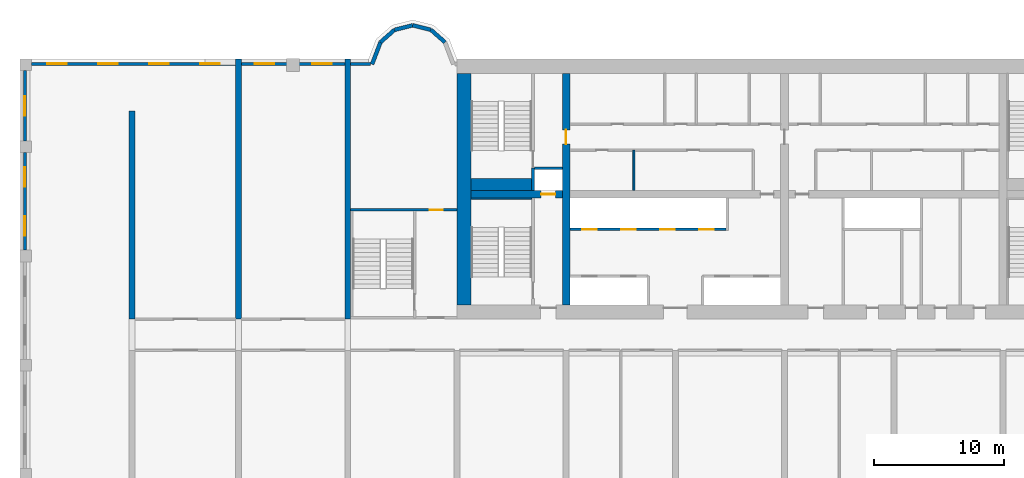
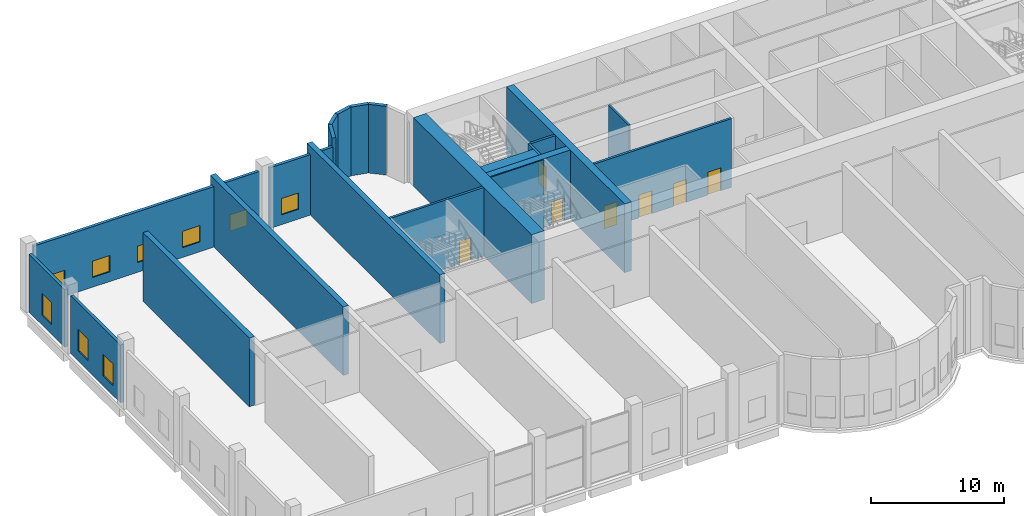
# One storey, part 9 of 15: 24 walls, 9 windows, 7 doors, 16 openings.
"""IFC4 building model written with IfcOpenShell, lengths in metres."""

from ifc_helpers import new_model, si_unit, direction, frame, frame_2d, origin, place, context, subcontext, project, spatial, rectangle, extrude, source, transform, mapped, material, layer, layer_set, type_object, element, fill, save


model = new_model("IFC4")

# Units and contexts
model_context = context("Model", 3, precision=1e-05, world=origin(), true_north=direction((0.0, 1.0)))
body_context = subcontext(model_context, "Body", "Model", "MODEL_VIEW")
ifc_project = project(units=[si_unit("LENGTHUNIT", "METRE"), si_unit("AREAUNIT", "SQUARE_METRE"), si_unit("VOLUMEUNIT", "CUBIC_METRE"), si_unit("PLANEANGLEUNIT", "RADIAN"), si_unit("MASSUNIT", "GRAM", prefix="KILO")], contexts=[model_context])

# Site, building, storey
site_placement = place(None, origin())
site = spatial("IfcSite", under=ifc_project, at=site_placement, CompositionType="ELEMENT")
building_placement = place(site_placement, origin())
building = spatial("IfcBuilding", under=site, at=building_placement, Name="Vanashikhar Sky Hotel", CompositionType="ELEMENT")
storey_placement = place(building_placement, frame((0.0, 0.0, 11.39990234375)))
storey = spatial("IfcBuildingStorey", under=building, at=storey_placement, Name="L02", CompositionType="ELEMENT", Elevation=11.39990234375)

# Wall
ifc_material_1 = material(Name="Concrete M80", Category="concrete")
ifc_layer_1 = layer(ifc_material_1, 1.10009765625)
ifc_layer_set_1 = layer_set([ifc_layer_1], Name="RC core shell wall 1100 Concrete M80")
wall_type_1 = type_object("IfcWallType", Name="RC core shell wall 1100 Concrete M80", PredefinedType="SHEAR", material=ifc_layer_set_1)
shared_shape_1 = source(origin(), body_context, "Body", "SweptSolid", [
    extrude(rectangle(XDim=17.7998046875, YDim=1.10009765625, at=frame_2d((8.89990234375, 0.0))), origin(), (0.0, 0.0, 1.0), 6.320068359375),
])
wall_1_placement = place(storey_placement, frame((25.75, 23.10009765625, 0.0), z_axis=(0.0, 0.0, 1.0), x_axis=(0.0, 1.0, 0.0)))
element("IfcWall", 1, at=wall_1_placement, inside=storey, type_object=wall_type_1, Name="KW-L02-KW", PredefinedType="SHEAR", context=body_context, shape_type="MappedRepresentation", body=[
    mapped(shared_shape_1, transform((0.0, 0.0, 0.0), scale=1.0)),
])

# Wall, opening, door
ifc_layer_2 = layer(ifc_material_1, 0.60009765625)
ifc_layer_set_2 = layer_set([ifc_layer_2], Name="RC core inner wall 600 Concrete M80")
wall_type_2 = type_object("IfcWallType", Name="RC core inner wall 600 Concrete M80", PredefinedType="SHEAR", material=ifc_layer_set_2)
shared_shape_2 = source(origin(), body_context, "Body", "SweptSolid", [
    extrude(rectangle(XDim=17.7998046875, YDim=0.60009765625, at=frame_2d((8.89990234375, 0.0))), origin(), (0.0, 0.0, 1.0), 6.320068359375),
])
wall_2_placement = place(storey_placement, frame((33.60009765625, 23.10009765625, 0.0), z_axis=(0.0, 0.0, 1.0), x_axis=(0.0, 1.0, 0.0)))
wall_2 = element("IfcWall", 2, at=wall_2_placement, inside=storey, type_object=wall_type_2, Name="KW-L02-KX1", PredefinedType="SHEAR", context=body_context, shape_type="MappedRepresentation", body=[
    mapped(shared_shape_2, transform((0.0, 0.0, 0.0), scale=1.0)),
])
shared_shape_3 = source(origin(), body_context, "Body", "SweptSolid", [
    extrude(rectangle(XDim=1.10009765625, YDim=2.10009765625, at=frame_2d((0.550048828125, 1.050048828125))), frame((0.0, 0.31005859375, 0.0), z_axis=(0.0, -1.0, 0.0), x_axis=(1.0, 0.0, 0.0)), (0.0, 0.0, 1.0), 0.6201171875),
])
opening_1_placement = place(wall_2_placement, frame((12.35009765625, 0.0, 0.0)))
opening_1 = element("IfcOpeningElement", 3, at=opening_1_placement, cuts=wall_2, Name="Opening DC-4-C", PredefinedType="OPENING", context=body_context, shape_type="MappedRepresentation", body=[
    mapped(shared_shape_3, transform((0.0, 0.0, 0.0), scale=1.0)),
])
ifc_material_2 = material(Name="Steel", Category="steel")
door_type_1 = type_object("IfcDoorType", Name="Service door 1100 FD60", OperationType="NOTDEFINED", PredefinedType="DOOR", material=ifc_material_2)
shared_shape_4 = source(origin(), body_context, "Body", "SweptSolid", [
    extrude(rectangle(XDim=1.10009765625, YDim=2.10009765625, at=frame_2d((0.550048828125, 1.050048828125))), frame((0.0, 0.02490234375, 0.0), z_axis=(0.0, -1.0, 0.0), x_axis=(1.0, 0.0, 0.0)), (0.0, 0.0, 1.0), 0.050048828125),
])
door_1_placement = place(opening_1_placement, origin())
door_1 = element("IfcDoor", 4, at=door_1_placement, inside=storey, type_object=door_type_1, Name="Service door 1100 FD60", OperationType="SINGLE_SWING_LEFT", OverallHeight=2.10009765625, OverallWidth=1.10009765625, PredefinedType="DOOR", context=body_context, shape_type="MappedRepresentation", body=[
    mapped(shared_shape_4, transform((0.0, 0.0, 0.0), scale=1.0)),
])
fill(opening_1, door_1)

shared_shape_5 = source(origin(), body_context, "Body", "SweptSolid", [
    extrude(rectangle(XDim=7.0, YDim=0.60009765625, at=frame_2d((3.5, 0.0))), origin(), (0.0, 0.0, 1.0), 6.320068359375),
])
wall_3_placement = place(storey_placement, frame((26.300048828125, 31.60009765625, 0.0), z_axis=(0.0, 0.0, 1.0), x_axis=(1.0, 0.0, 0.0)))
wall_3 = element("IfcWall", 5, at=wall_3_placement, inside=storey, type_object=wall_type_2, Name="KW-L02-KY1", PredefinedType="SHEAR", context=body_context, shape_type="MappedRepresentation", body=[
    mapped(shared_shape_5, transform((0.0, 0.0, 0.0), scale=1.0)),
])
opening_2_placement = place(wall_3_placement, frame((5.375, 0.0, 0.0)))
opening_2 = element("IfcOpeningElement", 6, at=opening_2_placement, cuts=wall_3, Name="Opening LD", PredefinedType="OPENING", context=body_context, shape_type="MappedRepresentation", body=[
    mapped(shared_shape_3, transform((0.0, 0.0, 0.0), scale=1.0)),
])
ifc_material_3 = material(Name="Stainless steel", Category="steel")
door_type_2 = type_object("IfcDoorType", Name="Lift landing door 1100", OperationType="NOTDEFINED", PredefinedType="DOOR", material=ifc_material_3)
door_2_placement = place(opening_2_placement, origin())
door_2 = element("IfcDoor", 7, at=door_2_placement, inside=storey, type_object=door_type_2, Name="Lift landing door 1100", OperationType="SLIDING_TO_RIGHT", OverallHeight=2.10009765625, OverallWidth=1.10009765625, PredefinedType="DOOR", context=body_context, shape_type="MappedRepresentation", body=[
    mapped(shared_shape_4, transform((0.0, 0.0, 0.0), scale=1.0)),
])
fill(opening_2, door_2)

# Walls
ifc_layer_3 = layer(ifc_material_1, 0.449951171875)
ifc_layer_set_3 = layer_set([ifc_layer_3], Name="RC shear wall 450 Concrete M80")
wall_type_3 = type_object("IfcWallType", Name="RC shear wall 450 Concrete M80", PredefinedType="SHEAR", material=ifc_layer_set_3)
shared_shape_6 = source(origin(), body_context, "Body", "SweptSolid", [
    extrude(rectangle(XDim=16.0, YDim=0.449951171875, at=frame_2d((8.0, 0.0))), origin(), (0.0, 0.0, 1.0), 6.320068359375),
])
wall_4_placement = place(storey_placement, frame((0.22509765625, 22.0, 0.0), z_axis=(0.0, 0.0, 1.0), x_axis=(0.0, 1.0, 0.0)))
element("IfcWall", 8, at=wall_4_placement, inside=storey, type_object=wall_type_3, Name="CW-L02-XW01-2", PredefinedType="SHEAR", context=body_context, shape_type="MappedRepresentation", body=[
    mapped(shared_shape_6, transform((0.0, 0.0, 0.0), scale=1.0)),
])
shared_shape_7 = source(origin(), body_context, "Body", "SweptSolid", [
    extrude(rectangle(XDim=20.0, YDim=0.449951171875, at=frame_2d((10.0, 0.0))), origin(), (0.0, 0.0, 1.0), 6.320068359375),
])
for number, where, z_axis, x_axis, name in (
    (9, (8.39990234375, 22.0, 0.0), (0.0, 0.0, 1.0), (0.0, 1.0, 0.0), "CW-L02-XW02-2"),
    (10, (16.800048828125, 22.0, 0.0), (0.0, 0.0, 1.0), (0.0, 1.0, 0.0), "CW-L02-XW03-2"),
):
    element("IfcWall", number, at=place(storey_placement, frame(where, z_axis=z_axis, x_axis=x_axis)), inside=storey, type_object=wall_type_3, Name=name, PredefinedType="SHEAR", context=body_context, shape_type="MappedRepresentation", body=[
        mapped(shared_shape_7, transform((0.0, 0.0, 0.0), scale=1.0)),
    ])

# Wall, opening, window
ifc_material_4 = material(Name="Concrete M50", Category="concrete")
ifc_layer_4 = layer(ifc_material_4, 0.25)
ifc_layer_set_4 = layer_set([ifc_layer_4], Name="Rear and end board-marked wall 250")
wall_type_4 = type_object("IfcWallType", Name="Rear and end board-marked wall 250", PredefinedType="SOLIDWALL", material=ifc_layer_set_4)
shared_shape_8 = source(origin(), body_context, "Body", "SweptSolid", [
    extrude(rectangle(XDim=3.52490234375, YDim=0.25, at=frame_2d((1.762451171875, 0.0))), origin(), (0.0, 0.0, 1.0), 5.570068359375),
])
wall_5_placement = place(storey_placement, frame((16.574951171875, 41.625, 0.0), z_axis=(0.0, 0.0, 1.0), x_axis=(-1.0, 0.0, 0.0)))
wall_5 = element("IfcWall", 11, at=wall_5_placement, inside=storey, type_object=wall_type_4, Name="Podium external wall", PredefinedType="SOLIDWALL", context=body_context, shape_type="MappedRepresentation", body=[
    mapped(shared_shape_8, transform((0.0, 0.0, 0.0), scale=1.0)),
])
shared_shape_9 = source(origin(), body_context, "Body", "SweptSolid", [
    extrude(rectangle(XDim=1.5, YDim=1.5, at=frame_2d((0.75, 0.75))), frame((0.0, 0.135009765625, 0.0), z_axis=(0.0, -1.0, 0.0), x_axis=(1.0, 0.0, 0.0)), (0.0, 0.0, 1.0), 0.27001953125),
])
opening_3_placement = place(wall_5_placement, frame((1.012451171875, 0.0, 0.89990234375)))
opening_3 = element("IfcOpeningElement", 12, at=opening_3_placement, cuts=wall_5, Name="Opening WN-1", PredefinedType="OPENING", context=body_context, shape_type="MappedRepresentation", body=[
    mapped(shared_shape_9, transform((0.0, 0.0, 0.0), scale=1.0)),
])
ifc_material_5 = material(Name="Glass", Category="glass")
window_type_1 = type_object("IfcWindowType", Name="Window 1500 x 1500", PartitioningType="SINGLE_PANEL", PredefinedType="WINDOW", material=ifc_material_5)
shared_shape_10 = source(origin(), body_context, "Body", "SweptSolid", [
    extrude(rectangle(XDim=1.5, YDim=1.5, at=frame_2d((0.75, 0.75))), frame((0.0, 0.030029296875, 0.0), z_axis=(0.0, -1.0, 0.0), x_axis=(1.0, 0.0, 0.0)), (0.0, 0.0, 1.0), 0.06005859375),
])
window_1_placement = place(opening_3_placement, origin())
window_1 = element("IfcWindow", 13, at=window_1_placement, inside=storey, type_object=window_type_1, Name="Window WN-1", OverallHeight=1.5, OverallWidth=1.5, PartitioningType="SINGLE_PANEL", PredefinedType="WINDOW", context=body_context, shape_type="MappedRepresentation", body=[
    mapped(shared_shape_10, transform((0.0, 0.0, 0.0), scale=1.0)),
])
fill(opening_3, window_1)

wall_6_placement = place(storey_placement, frame((12.14990234375, 41.625, 0.0), z_axis=(0.0, 0.0, 1.0), x_axis=(-1.0, 0.0, 0.0)))
wall_6 = element("IfcWall", 14, at=wall_6_placement, inside=storey, type_object=wall_type_4, Name="Podium external wall", PredefinedType="SOLIDWALL", context=body_context, shape_type="MappedRepresentation", body=[
    mapped(shared_shape_8, transform((0.0, 0.0, 0.0), scale=1.0)),
])
opening_4_placement = place(wall_6_placement, frame((1.012451171875, 0.0, 0.89990234375)))
opening_4 = element("IfcOpeningElement", 15, at=opening_4_placement, cuts=wall_6, Name="Opening WN-1", PredefinedType="OPENING", context=body_context, shape_type="MappedRepresentation", body=[
    mapped(shared_shape_9, transform((0.0, 0.0, 0.0), scale=1.0)),
])
window_2_placement = place(opening_4_placement, origin())
window_2 = element("IfcWindow", 16, at=window_2_placement, inside=storey, type_object=window_type_1, Name="Window WN-1", OverallHeight=1.5, OverallWidth=1.5, PartitioningType="SINGLE_PANEL", PredefinedType="WINDOW", context=body_context, shape_type="MappedRepresentation", body=[
    mapped(shared_shape_10, transform((0.0, 0.0, 0.0), scale=1.0)),
])
fill(opening_4, window_2)

# Wall, openings, windows
shared_shape_11 = source(origin(), body_context, "Body", "SweptSolid", [
    extrude(rectangle(XDim=7.5, YDim=0.25, at=frame_2d((3.75, 0.0))), origin(), (0.0, 0.0, 1.0), 5.320068359375),
])
wall_7_placement = place(storey_placement, frame((-8.02490234375, 34.800048828125, 0.0), z_axis=(0.0, 0.0, 1.0), x_axis=(0.0, -1.0, 0.0)))
wall_7 = element("IfcWall", 17, at=wall_7_placement, inside=storey, type_object=wall_type_4, Name="Podium external wall", PredefinedType="SOLIDWALL", context=body_context, shape_type="MappedRepresentation", body=[
    mapped(shared_shape_11, transform((0.0, 0.0, 0.0), scale=1.0)),
])
shared_shape_12 = source(origin(), body_context, "Body", "SweptSolid", [
    extrude(rectangle(XDim=1.5, YDim=2.0, at=frame_2d((0.75, 1.0))), frame((0.0, 0.135009765625, 0.0), z_axis=(0.0, -1.0, 0.0), x_axis=(1.0, 0.0, 0.0)), (0.0, 0.0, 1.0), 0.27001953125),
])
opening_5_placement = place(wall_7_placement, frame((1.125, 0.0, 0.89990234375)))
opening_5 = element("IfcOpeningElement", 18, at=opening_5_placement, cuts=wall_7, Name="Opening WN-2", PredefinedType="OPENING", context=body_context, shape_type="MappedRepresentation", body=[
    mapped(shared_shape_12, transform((0.0, 0.0, 0.0), scale=1.0)),
])
opening_6_placement = place(wall_7_placement, frame((4.875, 0.0, 0.89990234375)))
opening_6 = element("IfcOpeningElement", 19, at=opening_6_placement, cuts=wall_7, Name="Opening WN-2", PredefinedType="OPENING", context=body_context, shape_type="MappedRepresentation", body=[
    mapped(shared_shape_12, transform((0.0, 0.0, 0.0), scale=1.0)),
])
window_type_2 = type_object("IfcWindowType", Name="Lobe window 1500 x 2000", PartitioningType="SINGLE_PANEL", PredefinedType="WINDOW", material=ifc_material_5)
shared_shape_13 = source(origin(), body_context, "Body", "SweptSolid", [
    extrude(rectangle(XDim=1.5, YDim=2.0, at=frame_2d((0.75, 1.0))), frame((0.0, 0.030029296875, 0.0), z_axis=(0.0, -1.0, 0.0), x_axis=(1.0, 0.0, 0.0)), (0.0, 0.0, 1.0), 0.06005859375),
])
window_3_placement = place(opening_5_placement, origin())
window_3 = element("IfcWindow", 20, at=window_3_placement, inside=storey, type_object=window_type_2, Name="Window WN-2", OverallHeight=2.0, OverallWidth=1.5, PartitioningType="SINGLE_PANEL", PredefinedType="WINDOW", context=body_context, shape_type="MappedRepresentation", body=[
    mapped(shared_shape_13, transform((0.0, 0.0, 0.0), scale=1.0)),
])
fill(opening_5, window_3)
window_4_placement = place(opening_6_placement, origin())
window_4 = element("IfcWindow", 21, at=window_4_placement, inside=storey, type_object=window_type_2, Name="Window WN-2", OverallHeight=2.0, OverallWidth=1.5, PartitioningType="SINGLE_PANEL", PredefinedType="WINDOW", context=body_context, shape_type="MappedRepresentation", body=[
    mapped(shared_shape_13, transform((0.0, 0.0, 0.0), scale=1.0)),
])
fill(opening_6, window_4)

# Wall, opening, window
shared_shape_14 = source(origin(), body_context, "Body", "SweptSolid", [
    extrude(rectangle(XDim=5.400146484375, YDim=0.25, at=frame_2d((2.7001953125, 0.0))), origin(), (0.0, 0.0, 1.0), 5.320068359375),
])
wall_8_placement = place(storey_placement, frame((-8.02490234375, 41.10009765625, 0.0), z_axis=(0.0, 0.0, 1.0), x_axis=(0.0, -1.0, 0.0)))
wall_8 = element("IfcWall", 22, at=wall_8_placement, inside=storey, type_object=wall_type_4, Name="Podium external wall", PredefinedType="SOLIDWALL", context=body_context, shape_type="MappedRepresentation", body=[
    mapped(shared_shape_14, transform((0.0, 0.0, 0.0), scale=1.0)),
])
opening_7_placement = place(wall_8_placement, frame((1.949951171875, 0.0, 0.89990234375)))
opening_7 = element("IfcOpeningElement", 23, at=opening_7_placement, cuts=wall_8, Name="Opening WN-2", PredefinedType="OPENING", context=body_context, shape_type="MappedRepresentation", body=[
    mapped(shared_shape_12, transform((0.0, 0.0, 0.0), scale=1.0)),
])
window_5_placement = place(opening_7_placement, origin())
window_5 = element("IfcWindow", 24, at=window_5_placement, inside=storey, type_object=window_type_2, Name="Window WN-2", OverallHeight=2.0, OverallWidth=1.5, PartitioningType="SINGLE_PANEL", PredefinedType="WINDOW", context=body_context, shape_type="MappedRepresentation", body=[
    mapped(shared_shape_13, transform((0.0, 0.0, 0.0), scale=1.0)),
])
fill(opening_7, window_5)

# Wall, openings, windows
shared_shape_15 = source(origin(), body_context, "Body", "SweptSolid", [
    extrude(rectangle(XDim=15.675048828125, YDim=0.25, at=frame_2d((7.83740234375, 0.0))), origin(), (0.0, 0.0, 1.0), 5.570068359375),
])
wall_9_placement = place(storey_placement, frame((8.175048828125, 41.625, 0.0), z_axis=(0.0, 0.0, 1.0), x_axis=(-1.0, 0.0, 0.0)))
wall_9 = element("IfcWall", 25, at=wall_9_placement, inside=storey, type_object=wall_type_4, Name="Podium external wall", PredefinedType="SOLIDWALL", context=body_context, shape_type="MappedRepresentation", body=[
    mapped(shared_shape_15, transform((0.0, 0.0, 0.0), scale=1.0)),
])
opening_8_placement = place(wall_9_placement, frame((1.20947265625, 0.0, 0.89990234375)))
opening_8 = element("IfcOpeningElement", 26, at=opening_8_placement, cuts=wall_9, Name="Opening WN-1", PredefinedType="OPENING", context=body_context, shape_type="MappedRepresentation", body=[
    mapped(shared_shape_9, transform((0.0, 0.0, 0.0), scale=1.0)),
])
opening_9_placement = place(wall_9_placement, frame((5.128173828125, 0.0, 0.89990234375)))
opening_9 = element("IfcOpeningElement", 27, at=opening_9_placement, cuts=wall_9, Name="Opening WN-1", PredefinedType="OPENING", context=body_context, shape_type="MappedRepresentation", body=[
    mapped(shared_shape_9, transform((0.0, 0.0, 0.0), scale=1.0)),
])
opening_10_placement = place(wall_9_placement, frame((9.046875, 0.0, 0.89990234375)))
opening_10 = element("IfcOpeningElement", 28, at=opening_10_placement, cuts=wall_9, Name="Opening WN-1", PredefinedType="OPENING", context=body_context, shape_type="MappedRepresentation", body=[
    mapped(shared_shape_9, transform((0.0, 0.0, 0.0), scale=1.0)),
])
opening_11_placement = place(wall_9_placement, frame((12.965576171875, 0.0, 0.89990234375)))
opening_11 = element("IfcOpeningElement", 29, at=opening_11_placement, cuts=wall_9, Name="Opening WN-1", PredefinedType="OPENING", context=body_context, shape_type="MappedRepresentation", body=[
    mapped(shared_shape_9, transform((0.0, 0.0, 0.0), scale=1.0)),
])
window_6_placement = place(opening_8_placement, origin())
window_6 = element("IfcWindow", 30, at=window_6_placement, inside=storey, type_object=window_type_1, Name="Window WN-1", OverallHeight=1.5, OverallWidth=1.5, PartitioningType="SINGLE_PANEL", PredefinedType="WINDOW", context=body_context, shape_type="MappedRepresentation", body=[
    mapped(shared_shape_10, transform((0.0, 0.0, 0.0), scale=1.0)),
])
fill(opening_8, window_6)
window_7_placement = place(opening_9_placement, origin())
window_7 = element("IfcWindow", 31, at=window_7_placement, inside=storey, type_object=window_type_1, Name="Window WN-1", OverallHeight=1.5, OverallWidth=1.5, PartitioningType="SINGLE_PANEL", PredefinedType="WINDOW", context=body_context, shape_type="MappedRepresentation", body=[
    mapped(shared_shape_10, transform((0.0, 0.0, 0.0), scale=1.0)),
])
fill(opening_9, window_7)
window_8_placement = place(opening_10_placement, origin())
window_8 = element("IfcWindow", 32, at=window_8_placement, inside=storey, type_object=window_type_1, Name="Window WN-1", OverallHeight=1.5, OverallWidth=1.5, PartitioningType="SINGLE_PANEL", PredefinedType="WINDOW", context=body_context, shape_type="MappedRepresentation", body=[
    mapped(shared_shape_10, transform((0.0, 0.0, 0.0), scale=1.0)),
])
fill(opening_10, window_8)
window_9_placement = place(opening_11_placement, origin())
window_9 = element("IfcWindow", 33, at=window_9_placement, inside=storey, type_object=window_type_1, Name="Window WN-1", OverallHeight=1.5, OverallWidth=1.5, PartitioningType="SINGLE_PANEL", PredefinedType="WINDOW", context=body_context, shape_type="MappedRepresentation", body=[
    mapped(shared_shape_10, transform((0.0, 0.0, 0.0), scale=1.0)),
])
fill(opening_11, window_9)

# Walls
ifc_layer_5 = layer(ifc_material_4, 0.300048828125)
ifc_layer_set_5 = layer_set([ifc_layer_5], Name="Lobe wall 300")
wall_type_5 = type_object("IfcWallType", Name="Lobe wall 300", PredefinedType="SOLIDWALL", material=ifc_layer_set_5)
shared_shape_16 = source(origin(), body_context, "Body", "SweptSolid", [
    extrude(rectangle(XDim=1.81201171875, YDim=0.300048828125, at=frame_2d((0.906005859375, 0.0))), origin(), (0.0, 0.0, 1.0), 6.320068359375),
])
wall_10_placement = place(storey_placement, frame((19.323486328125, 43.2919921875, 0.0), z_axis=(0.0, 0.0, 1.0), x_axis=(-0.357877270961, -0.93376863244, 0.0)))
element("IfcWall", 34, at=wall_10_placement, inside=storey, type_object=wall_type_5, Name="Lobe wall", PredefinedType="SOLIDWALL", context=body_context, shape_type="MappedRepresentation", body=[
    mapped(shared_shape_16, transform((0.0, 0.0, 0.0), scale=1.0)),
])
shared_shape_17 = source(origin(), body_context, "Body", "SweptSolid", [
    extrude(rectangle(XDim=1.43994140625, YDim=0.300048828125, at=frame_2d((0.719970703125, 0.0))), origin(), (0.0, 0.0, 1.0), 6.320068359375),
])
wall_11_placement = place(storey_placement, frame((20.40283203125, 44.2451171875, 0.0), z_axis=(0.0, 0.0, 1.0), x_axis=(-0.74957555648, -0.661918790432, 0.0)))
element("IfcWall", 35, at=wall_11_placement, inside=storey, type_object=wall_type_5, Name="Lobe wall", PredefinedType="SOLIDWALL", context=body_context, shape_type="MappedRepresentation", body=[
    mapped(shared_shape_17, transform((0.0, 0.0, 0.0), scale=1.0)),
])
shared_shape_18 = source(origin(), body_context, "Body", "SweptSolid", [
    extrude(rectangle(XDim=1.438720703125, YDim=0.300048828125, at=frame_2d((0.71923828125, 0.0))), origin(), (0.0, 0.0, 1.0), 6.320068359375),
])
wall_12_placement = place(storey_placement, frame((21.800048828125, 44.588134765625, 0.0), z_axis=(0.0, 0.0, 1.0), x_axis=(-0.971161932466, -0.238420848351, 0.0)))
element("IfcWall", 36, at=wall_12_placement, inside=storey, type_object=wall_type_5, Name="Lobe wall", PredefinedType="SOLIDWALL", context=body_context, shape_type="MappedRepresentation", body=[
    mapped(shared_shape_18, transform((0.0, 0.0, 0.0), scale=1.0)),
])
shared_shape_19 = source(origin(), body_context, "Body", "SweptSolid", [
    extrude(rectangle(XDim=1.440185546875, YDim=0.300048828125, at=frame_2d((0.72021484375, 0.0))), origin(), (0.0, 0.0, 1.0), 6.320068359375),
])
wall_13_placement = place(storey_placement, frame((24.276611328125, 43.2919921875, 0.0), z_axis=(0.0, 0.0, 1.0), x_axis=(-0.749649827867, 0.661834673902, 0.0)))
element("IfcWall", 37, at=wall_13_placement, inside=storey, type_object=wall_type_5, Name="Lobe wall", PredefinedType="SOLIDWALL", context=body_context, shape_type="MappedRepresentation", body=[
    mapped(shared_shape_19, transform((0.0, 0.0, 0.0), scale=1.0)),
])
shared_shape_20 = source(origin(), body_context, "Body", "SweptSolid", [
    extrude(rectangle(XDim=1.4384765625, YDim=0.300048828125, at=frame_2d((0.71923828125, 0.0))), origin(), (0.0, 0.0, 1.0), 6.320068359375),
])
wall_14_placement = place(storey_placement, frame((23.197021484375, 44.2451171875, 0.0), z_axis=(0.0, 0.0, 1.0), x_axis=(-0.971152283879, 0.238460146601, 0.0)))
element("IfcWall", 38, at=wall_14_placement, inside=storey, type_object=wall_type_5, Name="Lobe wall", PredefinedType="SOLIDWALL", context=body_context, shape_type="MappedRepresentation", body=[
    mapped(shared_shape_20, transform((0.0, 0.0, 0.0), scale=1.0)),
])
shared_shape_21 = source(origin(), body_context, "Body", "SweptSolid", [
    extrude(rectangle(XDim=1.512939453125, YDim=0.25, at=frame_2d((0.75634765625, 0.0))), origin(), (0.0, 0.0, 1.0), 5.570068359375),
])
wall_15_placement = place(storey_placement, frame((18.537841796875, 41.625, 0.0), z_axis=(0.0, 0.0, 1.0), x_axis=(-1.0, 0.0, 0.0)))
element("IfcWall", 39, at=wall_15_placement, inside=storey, type_object=wall_type_4, Name="Podium external wall", PredefinedType="SOLIDWALL", context=body_context, shape_type="MappedRepresentation", body=[
    mapped(shared_shape_21, transform((0.0, 0.0, 0.0), scale=1.0)),
])

# Wall, openings, doors
ifc_material_6 = material(Name="Concrete M40", Category="concrete")
ifc_layer_6 = layer(ifc_material_6, 0.199951171875)
ifc_layer_set_6 = layer_set([ifc_layer_6], Name="Shaft wall 200")
wall_type_6 = type_object("IfcWallType", Name="Shaft wall 200", PredefinedType="SOLIDWALL", material=ifc_layer_set_6)
shared_shape_22 = source(origin(), body_context, "Body", "SweptSolid", [
    extrude(rectangle(XDim=12.0, YDim=0.199951171875, at=frame_2d((6.0, 0.0))), origin(), (0.0, 0.0, 1.0), 6.320068359375),
])
wall_16_placement = place(storey_placement, frame((33.89990234375, 28.89990234375, 0.0), z_axis=(0.0, 0.0, 1.0), x_axis=(1.0, 0.0, 0.0)))
wall_16 = element("IfcWall", 40, at=wall_16_placement, inside=storey, type_object=wall_type_6, Name="Shaft wall 200", PredefinedType="SOLIDWALL", context=body_context, shape_type="MappedRepresentation", body=[
    mapped(shared_shape_22, transform((0.0, 0.0, 0.0), scale=1.0)),
])
shared_shape_23 = source(origin(), body_context, "Body", "SweptSolid", [
    extrude(rectangle(XDim=1.10009765625, YDim=2.10009765625, at=frame_2d((0.550048828125, 1.050048828125))), frame((0.0, 0.10986328125, 0.0), z_axis=(0.0, -1.0, 0.0), x_axis=(1.0, 0.0, 0.0)), (0.0, 0.0, 1.0), 0.219970703125),
])
opening_12_placement = place(wall_16_placement, frame((0.949951171875, 0.0, 0.0)))
opening_12 = element("IfcOpeningElement", 41, at=opening_12_placement, cuts=wall_16, Name="Opening LD", PredefinedType="OPENING", context=body_context, shape_type="MappedRepresentation", body=[
    mapped(shared_shape_23, transform((0.0, 0.0, 0.0), scale=1.0)),
])
opening_13_placement = place(wall_16_placement, frame((3.949951171875, 0.0, 0.0)))
opening_13 = element("IfcOpeningElement", 42, at=opening_13_placement, cuts=wall_16, Name="Opening LD", PredefinedType="OPENING", context=body_context, shape_type="MappedRepresentation", body=[
    mapped(shared_shape_23, transform((0.0, 0.0, 0.0), scale=1.0)),
])
opening_14_placement = place(wall_16_placement, frame((6.949951171875, 0.0, 0.0)))
opening_14 = element("IfcOpeningElement", 43, at=opening_14_placement, cuts=wall_16, Name="Opening LD", PredefinedType="OPENING", context=body_context, shape_type="MappedRepresentation", body=[
    mapped(shared_shape_23, transform((0.0, 0.0, 0.0), scale=1.0)),
])
opening_15_placement = place(wall_16_placement, frame((9.949951171875, 0.0, 0.0)))
opening_15 = element("IfcOpeningElement", 44, at=opening_15_placement, cuts=wall_16, Name="Opening LD", PredefinedType="OPENING", context=body_context, shape_type="MappedRepresentation", body=[
    mapped(shared_shape_23, transform((0.0, 0.0, 0.0), scale=1.0)),
])
door_3_placement = place(opening_12_placement, origin())
door_3 = element("IfcDoor", 45, at=door_3_placement, inside=storey, type_object=door_type_2, Name="Lift landing door 1100", OperationType="SLIDING_TO_LEFT", OverallHeight=2.10009765625, OverallWidth=1.10009765625, PredefinedType="DOOR", context=body_context, shape_type="MappedRepresentation", body=[
    mapped(shared_shape_4, transform((0.0, 0.0, 0.0), scale=1.0)),
])
fill(opening_12, door_3)
door_4_placement = place(opening_13_placement, origin())
door_4 = element("IfcDoor", 46, at=door_4_placement, inside=storey, type_object=door_type_2, Name="Lift landing door 1100", OperationType="SLIDING_TO_RIGHT", OverallHeight=2.10009765625, OverallWidth=1.10009765625, PredefinedType="DOOR", context=body_context, shape_type="MappedRepresentation", body=[
    mapped(shared_shape_4, transform((0.0, 0.0, 0.0), scale=1.0)),
])
fill(opening_13, door_4)
door_5_placement = place(opening_14_placement, origin())
door_5 = element("IfcDoor", 47, at=door_5_placement, inside=storey, type_object=door_type_2, Name="Lift landing door 1100", OperationType="SLIDING_TO_LEFT", OverallHeight=2.10009765625, OverallWidth=1.10009765625, PredefinedType="DOOR", context=body_context, shape_type="MappedRepresentation", body=[
    mapped(shared_shape_4, transform((0.0, 0.0, 0.0), scale=1.0)),
])
fill(opening_14, door_5)
door_6_placement = place(opening_15_placement, origin())
door_6 = element("IfcDoor", 48, at=door_6_placement, inside=storey, type_object=door_type_2, Name="Lift landing door 1100", OperationType="SLIDING_TO_RIGHT", OverallHeight=2.10009765625, OverallWidth=1.10009765625, PredefinedType="DOOR", context=body_context, shape_type="MappedRepresentation", body=[
    mapped(shared_shape_4, transform((0.0, 0.0, 0.0), scale=1.0)),
])
fill(opening_15, door_6)

# Walls
ifc_material_7 = material(Name="Gypsum board partition")
ifc_layer_7 = layer(ifc_material_7, 0.14990234375)
ifc_layer_set_7 = layer_set([ifc_layer_7], Name="Service partition 150")
wall_type_7 = type_object("IfcWallType", Name="Service partition 150", PredefinedType="PARTITIONING", material=ifc_layer_set_7)
shared_shape_24 = source(origin(), body_context, "Body", "SweptSolid", [
    extrude(rectangle(XDim=3.10009765625, YDim=0.14990234375, at=frame_2d((1.550048828125, 0.0))), origin(), (0.0, 0.0, 1.0), 6.320068359375),
])
wall_17_placement = place(storey_placement, frame((38.80908203125, 31.89990234375, 0.0), z_axis=(0.0, 0.0, 1.0), x_axis=(0.0, 1.0, 0.0)))
element("IfcWall", 49, at=wall_17_placement, inside=storey, type_object=wall_type_7, Name="Service partition 150", PredefinedType="PARTITIONING", context=body_context, shape_type="MappedRepresentation", body=[
    mapped(shared_shape_24, transform((0.0, 0.0, 0.0), scale=1.0)),
])
shared_shape_25 = source(origin(), body_context, "Body", "SweptSolid", [
    extrude(rectangle(XDim=1.7001953125, YDim=0.199951171875, at=frame_2d((0.85009765625, 0.0))), origin(), (0.0, 0.0, 1.0), 6.320068359375),
])
wall_18_placement = place(storey_placement, frame((31.050048828125, 31.89990234375, 0.0), z_axis=(0.0, 0.0, 1.0), x_axis=(0.0, 1.0, 0.0)))
element("IfcWall", 50, at=wall_18_placement, inside=storey, type_object=wall_type_6, Name="Shaft wall 200", PredefinedType="SOLIDWALL", context=body_context, shape_type="MappedRepresentation", body=[
    mapped(shared_shape_25, transform((0.0, 0.0, 0.0), scale=1.0)),
])
shared_shape_26 = source(origin(), body_context, "Body", "SweptSolid", [
    extrude(rectangle(XDim=2.150146484375, YDim=0.199951171875, at=frame_2d((1.0751953125, 0.0))), origin(), (0.0, 0.0, 1.0), 6.320068359375),
])
wall_19_placement = place(storey_placement, frame((31.14990234375, 33.60009765625, 0.0), z_axis=(0.0, 0.0, 1.0), x_axis=(1.0, 0.0, 0.0)))
element("IfcWall", 51, at=wall_19_placement, inside=storey, type_object=wall_type_6, Name="Shaft wall 200", PredefinedType="SOLIDWALL", context=body_context, shape_type="MappedRepresentation", body=[
    mapped(shared_shape_26, transform((0.0, 0.0, 0.0), scale=1.0)),
])

# Wall, opening, door
ifc_layer_8 = layer(ifc_material_4, 0.199951171875)
ifc_layer_set_8 = layer_set([ifc_layer_8], Name="Stair wall 200")
wall_type_8 = type_object("IfcWallType", Name="Stair wall 200", PredefinedType="SOLIDWALL", material=ifc_layer_set_8)
shared_shape_27 = source(origin(), body_context, "Body", "SweptSolid", [
    extrude(rectangle(XDim=8.175048828125, YDim=0.199951171875, at=frame_2d((4.08740234375, 0.0))), origin(), (0.0, 0.0, 1.0), 6.320068359375),
])
wall_20_placement = place(storey_placement, frame((17.02490234375, 30.39990234375, 0.0), z_axis=(0.0, 0.0, 1.0), x_axis=(1.0, 0.0, 0.0)))
wall_20 = element("IfcWall", 52, at=wall_20_placement, inside=storey, type_object=wall_type_8, Name="Stair wall 200", PredefinedType="SOLIDWALL", context=body_context, shape_type="MappedRepresentation", body=[
    mapped(shared_shape_27, transform((0.0, 0.0, 0.0), scale=1.0)),
])
shared_shape_28 = source(origin(), body_context, "Body", "SweptSolid", [
    extrude(rectangle(XDim=1.0, YDim=2.10009765625, at=frame_2d((0.5, 1.050048828125))), frame((0.0, 0.10986328125, 0.0), z_axis=(0.0, -1.0, 0.0), x_axis=(1.0, 0.0, 0.0)), (0.0, 0.0, 1.0), 0.219970703125),
])
opening_16_placement = place(wall_20_placement, frame((6.074951171875, 0.0, 0.0)))
opening_16 = element("IfcOpeningElement", 53, at=opening_16_placement, cuts=wall_20, Name="Opening DC-6", PredefinedType="OPENING", context=body_context, shape_type="MappedRepresentation", body=[
    mapped(shared_shape_28, transform((0.0, 0.0, 0.0), scale=1.0)),
])
door_type_3 = type_object("IfcDoorType", Name="Pocket door 1000 FD60", OperationType="NOTDEFINED", PredefinedType="DOOR", material=ifc_material_2)
shared_shape_29 = source(origin(), body_context, "Body", "SweptSolid", [
    extrude(rectangle(XDim=1.0, YDim=2.10009765625, at=frame_2d((0.5, 1.050048828125))), frame((0.0, 0.02490234375, 0.0), z_axis=(0.0, -1.0, 0.0), x_axis=(1.0, 0.0, 0.0)), (0.0, 0.0, 1.0), 0.050048828125),
])
door_7_placement = place(opening_16_placement, origin())
door_7 = element("IfcDoor", 54, at=door_7_placement, inside=storey, type_object=door_type_3, Name="Pocket door 1000 FD60", OperationType="SINGLE_SWING_LEFT", OverallHeight=2.10009765625, OverallWidth=1.0, PredefinedType="DOOR", context=body_context, shape_type="MappedRepresentation", body=[
    mapped(shared_shape_29, transform((0.0, 0.0, 0.0), scale=1.0)),
])
fill(opening_16, door_7)

# Walls
ifc_layer_9 = layer(ifc_material_4, 0.10009765625)
ifc_layer_set_9 = layer_set([ifc_layer_9], Name="Stair infill wall 100")
wall_type_9 = type_object("IfcWallType", Name="Stair infill wall 100", PredefinedType="SOLIDWALL", material=ifc_layer_set_9)
shared_shape_30 = source(origin(), body_context, "Body", "SweptSolid", [
    extrude(rectangle(XDim=4.64990234375, YDim=0.10009765625, at=frame_2d((2.324951171875, 0.0))), origin(), (0.0, 0.0, 1.0), 6.320068359375),
])
wall_21_placement = place(storey_placement, frame((26.300048828125, 31.25, 0.0), z_axis=(0.0, 0.0, 1.0), x_axis=(1.0, 0.0, 0.0)))
element("IfcWall", 55, at=wall_21_placement, inside=storey, type_object=wall_type_9, Name="Stair infill wall 100", PredefinedType="SOLIDWALL", context=body_context, shape_type="MappedRepresentation", body=[
    mapped(shared_shape_30, transform((0.0, 0.0, 0.0), scale=1.0)),
])
ifc_layer_10 = layer(ifc_material_4, 0.89990234375)
ifc_layer_set_10 = layer_set([ifc_layer_10], Name="Stair infill wall 900")
wall_type_10 = type_object("IfcWallType", Name="Stair infill wall 900", PredefinedType="SOLIDWALL", material=ifc_layer_set_10)
shared_shape_31 = source(origin(), body_context, "Body", "SweptSolid", [
    extrude(rectangle(XDim=4.64990234375, YDim=0.89990234375, at=frame_2d((2.324951171875, 0.0))), origin(), (0.0, 0.0, 1.0), 6.320068359375),
])
wall_22_placement = place(storey_placement, frame((26.300048828125, 32.35009765625, 0.0), z_axis=(0.0, 0.0, 1.0), x_axis=(1.0, 0.0, 0.0)))
element("IfcWall", 56, at=wall_22_placement, inside=storey, type_object=wall_type_10, Name="Stair infill wall 900", PredefinedType="SOLIDWALL", context=body_context, shape_type="MappedRepresentation", body=[
    mapped(shared_shape_31, transform((0.0, 0.0, 0.0), scale=1.0)),
])

save(model, "model.ifc")
